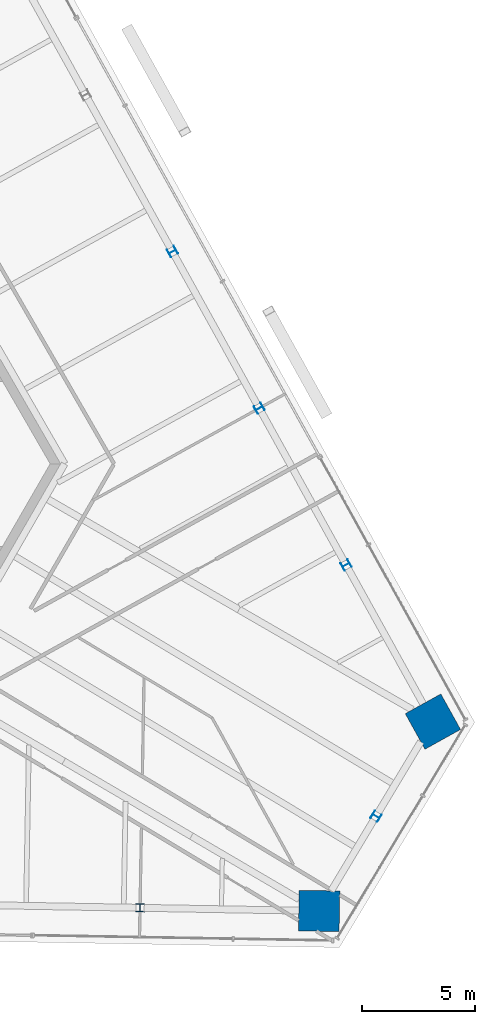
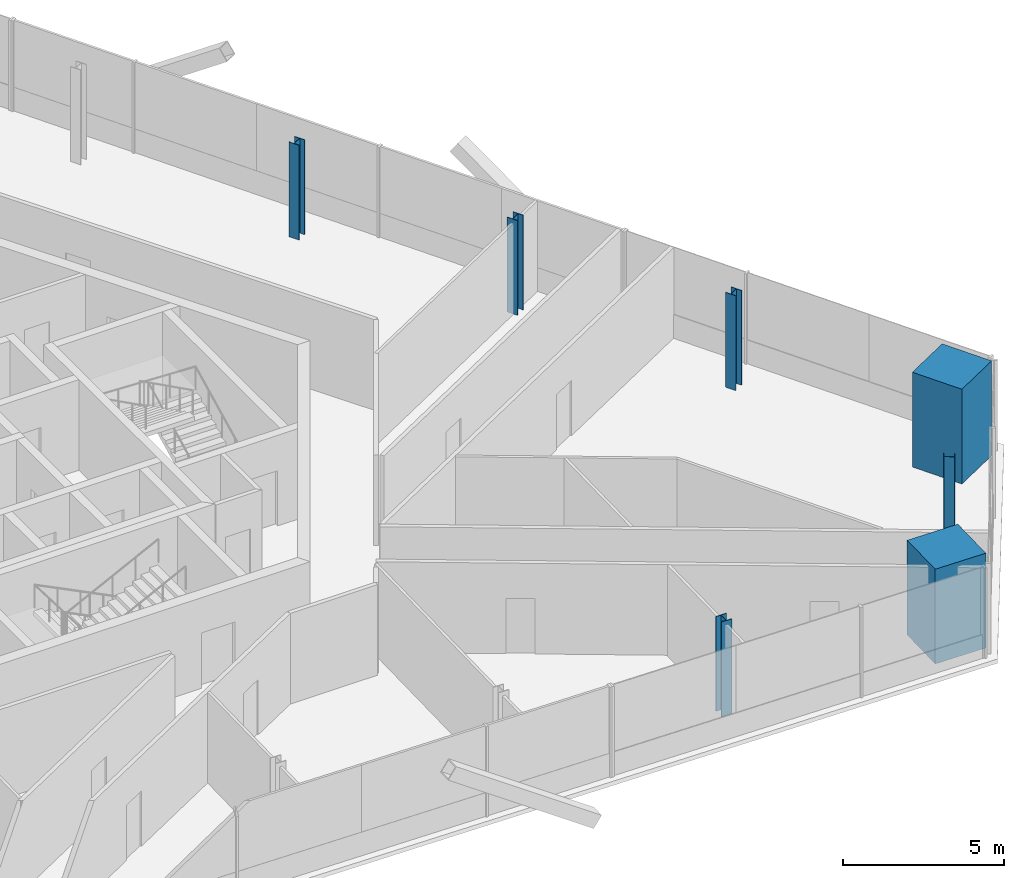
# One storey, part 2 of 18: 7 columns.
"""IFC4 building model written with IfcOpenShell, lengths in metres."""

from ifc_helpers import new_model, si_unit, direction, frame, origin, origin_2d, place, context, subcontext, project, spatial, rectangle, i_section, extrude, source, transform, mapped, material, material_profile, profile_set, type_object, element, save


model = new_model("IFC4")

# Units and contexts
model_context = context("Model", 3, precision=1e-05, world=origin(), true_north=direction((0.0, 1.0)))
body_context = subcontext(model_context, "Body", "Model", "MODEL_VIEW")
ifc_project = project(units=[si_unit("LENGTHUNIT", "METRE"), si_unit("AREAUNIT", "SQUARE_METRE"), si_unit("VOLUMEUNIT", "CUBIC_METRE"), si_unit("PLANEANGLEUNIT", "RADIAN"), si_unit("MASSUNIT", "GRAM", prefix="KILO")], contexts=[model_context])

# Site, building, storey
site_placement = place(None, origin())
site = spatial("IfcSite", under=ifc_project, at=site_placement, CompositionType="ELEMENT")
building_placement = place(site_placement, origin())
building = spatial("IfcBuilding", under=site, at=building_placement, Name="Triune Harvest Tower", CompositionType="ELEMENT")
storey_placement = place(building_placement, frame((0.0, 0.0, 190.699951171875)))
storey = spatial("IfcBuildingStorey", under=building, at=storey_placement, Name="L49", CompositionType="ELEMENT", Elevation=190.699951171875)

# Columns
ifc_material_1 = material(Name="Concrete 70 MPa", Category="concrete")
ifc_material_profile_1 = material_profile(ifc_material_1, rectangle(XDim=1.800048828125, YDim=1.800048828125, at=origin_2d()), Name="Composite 1800x1800")
ifc_profile_set_1 = profile_set([ifc_material_profile_1], Name="Concrete 70 MPa")
column_type_1 = type_object("IfcColumnType", Name="MC-5 Mega column Composite 1800x1800", PredefinedType="COLUMN", material=ifc_profile_set_1)
shared_shape_1 = source(origin(), body_context, "Body", "SweptSolid", [
    extrude(rectangle(XDim=1.800048828125, YDim=1.800048828125, at=origin_2d()), origin(), (0.0, 0.0, 1.0), 3.60009765625),
])
for number, where, z_axis, x_axis, name in (
    (1, (28.475341796875, -11.40673828125, 0.0), (0.0, 0.0, 1.0), (-0.484809620246, 0.874619707139, 0.0), "col/L49/M0"),
    (2, (23.43994140625, -19.787109375, 0.0), (0.0, 0.0, 1.0), (0.999847695156, -0.017452406437, 0.0), "col/L49/M22"),
):
    element("IfcColumn", number, at=place(storey_placement, frame(where, z_axis=z_axis, x_axis=x_axis)), inside=storey, type_object=column_type_1, Name=name, PredefinedType="COLUMN", context=body_context, shape_type="MappedRepresentation", body=[
        mapped(shared_shape_1, transform((0.0, 0.0, 0.0), scale=1.0)),
    ])
ifc_material_2 = material(Name="Steel ASTM A992 Gr 50", Category="steel")
ifc_material_profile_2 = material_profile(ifc_material_2, i_section(OverallWidth=0.370849609375, OverallDepth=0.36328125, WebThickness=0.013427734375, FlangeThickness=0.021728515625, at=origin_2d()), Name="W14x109")
ifc_profile_set_2 = profile_set([ifc_material_profile_2], Name="Steel ASTM A992 Gr 50")
column_type_2 = type_object("IfcColumnType", Name="PC-5 Perimeter column W14x109", PredefinedType="COLUMN", material=ifc_profile_set_2)
shared_shape_2 = source(origin(), body_context, "Body", "SweptSolid", [
    extrude(i_section(OverallWidth=0.370849609375, OverallDepth=0.36328125, WebThickness=0.013427734375, FlangeThickness=0.021728515625, at=origin_2d()), origin(), (0.0, 0.0, 1.0), 3.60009765625),
])
for number, where, z_axis, x_axis, name in (
    (3, (24.632080078125, -4.473388671875, 0.0), (0.0, 0.0, 1.0), (-0.484809620246, 0.874619707139, 0.0), "col/L49/P1"),
    (4, (20.788818359375, 2.459716796875, 0.0), (0.0, 0.0, 1.0), (-0.484809620246, 0.874619707139, 0.0), "col/L49/P2"),
    (5, (16.94580078125, 9.39306640625, 0.0), (0.0, 0.0, 1.0), (-0.484809620246, 0.874619707139, 0.0), "col/L49/P3"),
    (6, (15.513916015625, -19.648681640625, 0.0), (0.0, 0.0, 1.0), (0.999847695156, -0.017452406437, 0.0), "col/L49/P21"),
    (7, (25.95751953125, -15.596923828125, 0.0), (0.0, 0.0, 1.0), (0.515039570948, 0.85716640179, 0.0), "col/L49/P23"),
):
    element("IfcColumn", number, at=place(storey_placement, frame(where, z_axis=z_axis, x_axis=x_axis)), inside=storey, type_object=column_type_2, Name=name, PredefinedType="COLUMN", context=body_context, shape_type="MappedRepresentation", body=[
        mapped(shared_shape_2, transform((0.0, 0.0, 0.0), scale=1.0)),
    ])

save(model, "model.ifc")
